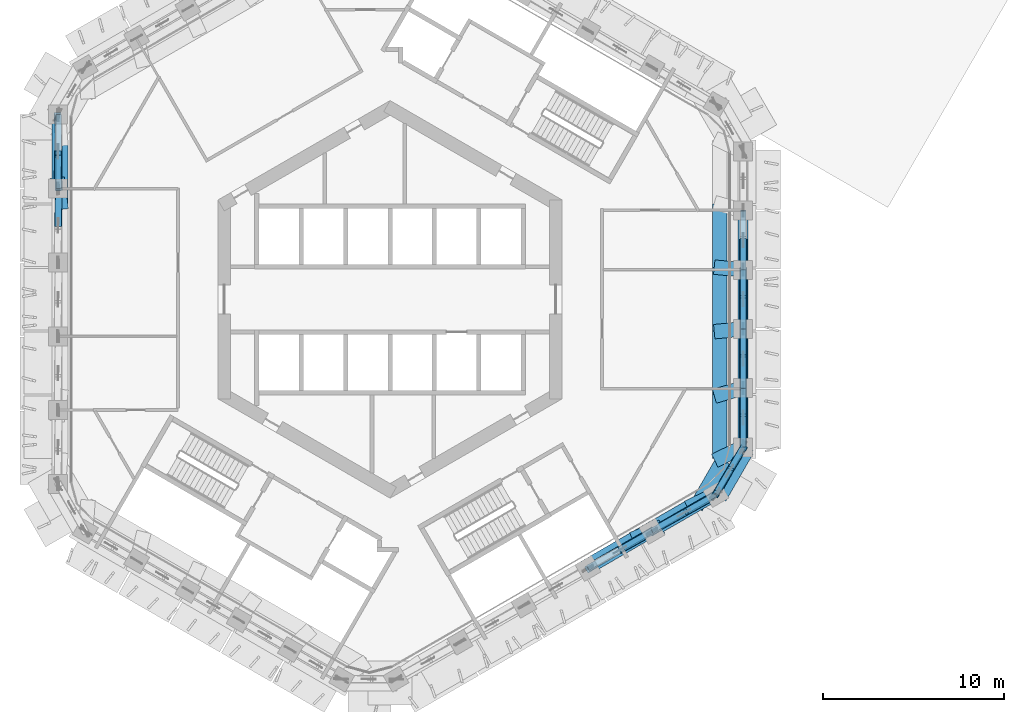
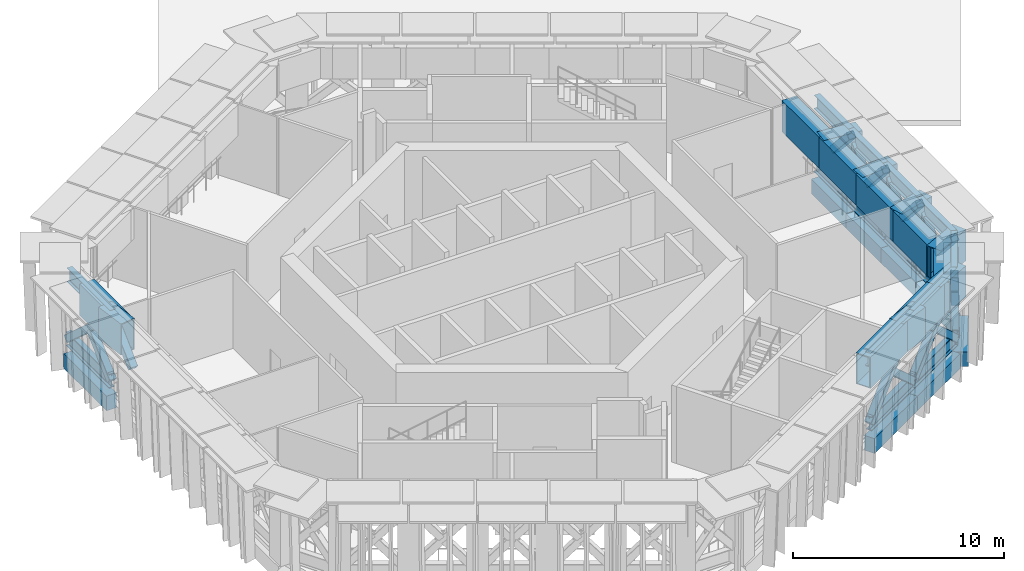
# One storey, part 3 of 18: 37 members, 23 beams.
"""IFC4 building model written with IfcOpenShell, lengths in metres."""

import ifcopenshell
import ifcopenshell.guid

model = None  # the IFC model being written
_history = None  # IfcOwnerHistory: only IFC2X3 demands one
_inside = {}  # id of a spatial element -> (the spatial element, [elements in it])
_under = {}  # id of a project, library or spatial element -> (it, [spatial elements below it])
_declared = {}  # id of a project -> (the project, [libraries it declares])
_typed = {}  # id of a type object -> (the type object, [elements of that type])
_made_of = {}  # id of a material, layer set ... -> (it, [elements and type objects made of it])


def new_model(schema):
    """Start an empty IFC model of exactly this schema.

    Asked for "IFC4X3", IfcOpenShell would pick the latest addendum, in which some entities
    have other attributes; the version numbers below select the first issue.
    IFC2X3 requires an IfcOwnerHistory on every rooted entity: one is made here for all.
    """
    global model, _history
    if schema == "IFC4X3":
        model = ifcopenshell.file(schema_version=(4, 3, 0, 0))
    else:
        model = ifcopenshell.file(schema=schema)
    _inside.clear()
    _under.clear()
    _declared.clear()
    _typed.clear()
    _made_of.clear()
    _history = None
    if model.schema == "IFC2X3":
        org = make("IfcOrganization", Name="unknown")
        user = make(
            "IfcPersonAndOrganization",
            ThePerson=make("IfcPerson", FamilyName="unknown"),
            TheOrganization=org,
        )
        app = make(
            "IfcApplication",
            ApplicationDeveloper=org,
            Version="unknown",
            ApplicationFullName="unknown",
            ApplicationIdentifier="unknown",
        )
        _history = make(
            "IfcOwnerHistory",
            OwningUser=user,
            OwningApplication=app,
            ChangeAction="ADDED",
            CreationDate=0,
        )
    return model


def make(cls, **values):
    """One entity of the class cls with the attributes given. An attribute that is None is left unset."""
    return model.create_entity(
        cls, **{name: value for name, value in values.items() if value is not None}
    )


def rooted(cls, **values):
    """An entity with a GlobalId (a new one), such as an element, a storey or a relation."""
    return make(cls, GlobalId=ifcopenshell.guid.new(), OwnerHistory=_history, **values)


def si_unit(unit_type, name, prefix=None):
    """IfcSIUnit, for example si_unit("LENGTHUNIT", "METRE", prefix="MILLI")."""
    return make("IfcSIUnit", UnitType=unit_type, Prefix=prefix, Name=name)


def assignment(units):
    """IfcUnitAssignment: the units of a project."""
    return None if units is None else make("IfcUnitAssignment", Units=units)


def point(xyz):
    """IfcCartesianPoint."""
    return None if xyz is None else make("IfcCartesianPoint", Coordinates=xyz)


def direction(xyz):
    """IfcDirection."""
    return None if xyz is None else make("IfcDirection", DirectionRatios=xyz)


def frame(location, z_axis=None, x_axis=None):
    """IfcAxis2Placement3D, a coordinate frame: its origin and axes. An axis left out is left unset."""
    return make(
        "IfcAxis2Placement3D",
        Location=point(location),
        Axis=direction(z_axis),
        RefDirection=direction(x_axis),
    )


def frame_2d(location, x_axis=None):
    """IfcAxis2Placement2D, a coordinate frame in the plane: its origin and x axis."""
    return make(
        "IfcAxis2Placement2D", Location=point(location), RefDirection=direction(x_axis)
    )


def origin():
    """The frame at (0, 0, 0) with its axes left unset."""
    return frame((0.0, 0.0, 0.0))


def origin_2d():
    """The frame at (0, 0) in the plane with its x axis left unset."""
    return frame_2d((0.0, 0.0))


def place(relative_to, where):
    """IfcLocalPlacement: puts the frame where relative to a parent placement (None: the world)."""
    return make(
        "IfcLocalPlacement", PlacementRelTo=relative_to, RelativePlacement=where
    )


def context(
    kind, dimensions, precision=None, world=None, true_north=None, identifier=None
):
    """IfcGeometricRepresentationContext, for example the 3D "Model" context."""
    return make(
        "IfcGeometricRepresentationContext",
        ContextIdentifier=identifier,
        ContextType=kind,
        CoordinateSpaceDimension=dimensions,
        Precision=precision,
        WorldCoordinateSystem=world,
        TrueNorth=true_north,
    )


def subcontext(parent, identifier, kind, view, scale=None):
    """IfcGeometricRepresentationSubContext, for example "Body" below "Model"."""
    return make(
        "IfcGeometricRepresentationSubContext",
        ContextIdentifier=identifier,
        ContextType=kind,
        ParentContext=parent,
        TargetScale=scale,
        TargetView=view,
    )


def project(units=None, contexts=None):
    """IfcProject with its units and contexts."""
    return rooted(
        "IfcProject",
        Name="project",
        RepresentationContexts=contexts,
        UnitsInContext=assignment(units),
    )


def spatial(cls, under=None, at=None, **own):
    """A site, building, storey or space (cls), placed at a placement, below another one or the project."""
    s = rooted(cls, ObjectPlacement=at, **own)
    if under is not None:
        _under.setdefault(under.id(), (under, []))[1].append(s)
    return s


def profile(cls, at=None, kind="AREA", **sizes):
    """A parametric profile (cls). Its sizes go by their IFC names, for example OverallWidth=200.0."""
    return make(cls, ProfileType=kind, Position=at, **sizes)


def rectangle(**sizes):
    """IfcRectangleProfileDef."""
    return profile("IfcRectangleProfileDef", **sizes)


def hollow_rectangle(**sizes):
    """IfcRectangleHollowProfileDef."""
    return profile("IfcRectangleHollowProfileDef", **sizes)


def i_section(**sizes):
    """IfcIShapeProfileDef."""
    return profile("IfcIShapeProfileDef", **sizes)


def extrude(swept, where, along, depth):
    """IfcExtrudedAreaSolid: the profile swept, set in the frame where, extruded along a direction by depth."""
    return make(
        "IfcExtrudedAreaSolid",
        SweptArea=swept,
        Position=where,
        ExtrudedDirection=direction(along),
        Depth=depth,
    )


def shape(context_of_items, identifier, shape_type, items):
    """IfcShapeRepresentation: the items that make up one representation, for example the "Body"."""
    return make(
        "IfcShapeRepresentation",
        ContextOfItems=context_of_items,
        RepresentationIdentifier=identifier,
        RepresentationType=shape_type,
        Items=items,
    )


def material(Name=None, Category=None):
    """IfcMaterial."""
    return make("IfcMaterial", Name=Name, Category=Category)


def material_profile(
    of_material, cross_section, Name=None, Category=None, Priority=None
):
    """IfcMaterialProfile: a cross section and its material."""
    return make(
        "IfcMaterialProfile",
        Name=Name,
        Material=of_material,
        Profile=cross_section,
        Priority=Priority,
        Category=Category,
    )


def profile_set(profiles, Name=None, composite=None):
    """IfcMaterialProfileSet."""
    return make(
        "IfcMaterialProfileSet",
        Name=Name,
        MaterialProfiles=profiles,
        CompositeProfile=composite,
    )


def made_of(thing, what):
    """Note that an element or type object is made of a material, layer set ...; save() writes the relation."""
    if what is not None:
        _made_of.setdefault(what.id(), (what, []))[1].append(thing)
    return thing


def type_object(cls, material=None, **own):
    """A type object (cls), such as IfcWallType, which elements share."""
    return made_of(rooted(cls, **own), material)


def element(
    cls,
    number,
    at=None,
    inside=None,
    cuts=None,
    type_object=None,
    material=None,
    context=None,
    identifier="Body",
    shape_type=None,
    held_by="IfcProductDefinitionShape",
    body=None,
    shapes=None,
    **own,
):
    """One element of the class cls, such as IfcWall. Its Tag is "e" and its number.

    at: its placement. inside: the storey or other place that contains it. cuts: it is an
    opening in that element (IfcRelVoidsElement). A single representation is given by context,
    identifier, shape_type and body (its items); several are given by shapes. held_by: the class
    of the entity that holds the representations. save() writes the other relations.
    """
    e = rooted(cls, Tag="e%d" % number, ObjectPlacement=at, **own)
    if body is not None:
        shapes = [shape(context, identifier, shape_type, body)]
    if shapes is not None:
        e.Representation = make(held_by, Representations=shapes)
    if inside is not None:
        _inside.setdefault(inside.id(), (inside, []))[1].append(e)
    if cuts is not None:
        rooted(
            "IfcRelVoidsElement", RelatingBuildingElement=cuts, RelatedOpeningElement=e
        )
    if type_object is not None:
        _typed.setdefault(type_object.id(), (type_object, []))[1].append(e)
    return made_of(e, material)


def aggregate(whole, parts):
    """IfcRelAggregates: a whole, such as a stair, and the parts it consists of."""
    return rooted("IfcRelAggregates", RelatingObject=whole, RelatedObjects=parts)


def save(model, path):
    """Write the relations noted so far, then the file.

    IfcRelAggregates (storeys below a building ...), IfcRelContainedInSpatialStructure (elements
    in a storey), IfcRelDefinesByType, IfcRelAssociatesMaterial and IfcRelDeclares: one each for
    every whole, place, type object, material and project.
    """
    for whole, parts in _under.values():
        aggregate(whole, parts)
    for where, things in _inside.values():
        rooted(
            "IfcRelContainedInSpatialStructure",
            RelatedElements=things,
            RelatingStructure=where,
        )
    for kind, things in _typed.values():
        rooted("IfcRelDefinesByType", RelatedObjects=things, RelatingType=kind)
    for what, things in _made_of.values():
        rooted("IfcRelAssociatesMaterial", RelatedObjects=things, RelatingMaterial=what)
    for by, libraries in _declared.values():
        rooted("IfcRelDeclares", RelatingContext=by, RelatedDefinitions=libraries)
    model.write(path)


model = new_model("IFC4")

# Units and contexts
model_context = context("Model", 3, precision=1e-05, world=origin(), true_north=direction((0.0, 1.0)))
body_context = subcontext(model_context, "Body", "Model", "MODEL_VIEW")
ifc_project = project(units=[si_unit("LENGTHUNIT", "METRE"), si_unit("AREAUNIT", "SQUARE_METRE"), si_unit("VOLUMEUNIT", "CUBIC_METRE"), si_unit("PLANEANGLEUNIT", "RADIAN"), si_unit("MASSUNIT", "GRAM", prefix="KILO")], contexts=[model_context])

# Site, building, storey
site_placement = place(None, origin())
site = spatial("IfcSite", under=ifc_project, at=site_placement, CompositionType="ELEMENT")
building_placement = place(site_placement, origin())
building = spatial("IfcBuilding", under=site, at=building_placement, Name="Ayvan Gate Tower", CompositionType="ELEMENT")
storey_placement = place(building_placement, frame((0.0, 0.0, 147.89990234375)))
storey = spatial("IfcBuildingStorey", under=building, at=storey_placement, Name="L39", CompositionType="ELEMENT", Elevation=147.89990234375)

# Members
ifc_material_1 = material(Name="Steel S460NH", Category="steel")
ifc_material_profile_1 = material_profile(ifc_material_1, hollow_rectangle(XDim=0.39990234375, YDim=0.39990234375, WallThickness=0.02001953125, InnerFilletRadius=0.02001953125, OuterFilletRadius=0.030029296875, at=origin_2d()), Name="RHS 400x400x20")
ifc_profile_set_1 = profile_set([ifc_material_profile_1], Name="Steel S460NH")
member_type_1 = type_object("IfcMemberType", Name="Belt truss brace BT2 RHS 400x400x20", PredefinedType="BRACE", material=ifc_profile_set_1)
member_1_placement = place(storey_placement, frame((19.485595703125, -8.203857421875, 0.400146484375), z_axis=(0.0, 0.67351401029, 0.739174457042), x_axis=(-1.0, 0.0, 0.0)))
element("IfcMember", 1, at=member_1_placement, inside=storey, type_object=member_type_1, Name="BT2-DA-1", PredefinedType="BRACE", context=body_context, shape_type="SweptSolid", body=[
    extrude(hollow_rectangle(XDim=0.39990234375, YDim=0.39990234375, WallThickness=0.02001953125, InnerFilletRadius=0.02001953125, OuterFilletRadius=0.030029296875, at=origin_2d()), origin(), (0.0, 0.0, 1.0), 4.937744140625),
])
member_2_placement = place(storey_placement, frame((19.485595703125, -4.92236328125, 0.400146484375), z_axis=(0.0, -0.6601360221, 0.751146079219), x_axis=(1.0, 0.0, 0.0)))
element("IfcMember", 2, at=member_2_placement, inside=storey, type_object=member_type_1, Name="BT2-DB-1", PredefinedType="BRACE", context=body_context, shape_type="SweptSolid", body=[
    extrude(hollow_rectangle(XDim=0.39990234375, YDim=0.39990234375, WallThickness=0.02001953125, InnerFilletRadius=0.02001953125, OuterFilletRadius=0.030029296875, at=origin_2d()), origin(), (0.0, 0.0, 1.0), 2.339111328125),
])
member_3_placement = place(storey_placement, frame((19.485595703125, -6.600341796875, 2.309326171875), z_axis=(0.0, -0.660188454235, 0.751099996601), x_axis=(1.0, 0.0, 0.0)))
element("IfcMember", 3, at=member_3_placement, inside=storey, type_object=member_type_1, Name="BT2-DC-1", PredefinedType="BRACE", context=body_context, shape_type="SweptSolid", body=[
    extrude(hollow_rectangle(XDim=0.39990234375, YDim=0.39990234375, WallThickness=0.02001953125, InnerFilletRadius=0.02001953125, OuterFilletRadius=0.030029296875, at=origin_2d()), origin(), (0.0, 0.0, 1.0), 2.317626953125),
])
member_4_placement = place(storey_placement, frame((19.485595703125, -4.92236328125, 0.400146484375), z_axis=(0.0, 0.670252746056, 0.742132910201), x_axis=(-1.0, 0.0, 0.0)))
element("IfcMember", 4, at=member_4_placement, inside=storey, type_object=member_type_1, Name="BT2-DA-2", PredefinedType="BRACE", context=body_context, shape_type="SweptSolid", body=[
    extrude(hollow_rectangle(XDim=0.39990234375, YDim=0.39990234375, WallThickness=0.02001953125, InnerFilletRadius=0.02001953125, OuterFilletRadius=0.030029296875, at=origin_2d()), origin(), (0.0, 0.0, 1.0), 4.918212890625),
])
member_5_placement = place(storey_placement, frame((19.485595703125, -1.640869140625, 0.400146484375), z_axis=(0.0, -0.663537666999, 0.748142877045), x_axis=(1.0, 0.0, 0.0)))
element("IfcMember", 5, at=member_5_placement, inside=storey, type_object=member_type_1, Name="BT2-DB-2", PredefinedType="BRACE", context=body_context, shape_type="SweptSolid", body=[
    extrude(hollow_rectangle(XDim=0.39990234375, YDim=0.39990234375, WallThickness=0.02001953125, InnerFilletRadius=0.02001953125, OuterFilletRadius=0.030029296875, at=origin_2d()), origin(), (0.0, 0.0, 1.0), 2.348876953125),
])
member_6_placement = place(storey_placement, frame((19.485595703125, -3.333984375, 2.30908203125), z_axis=(0.0, -0.663562515607, 0.748120837754), x_axis=(1.0, 0.0, 0.0)))
element("IfcMember", 6, at=member_6_placement, inside=storey, type_object=member_type_1, Name="BT2-DC-2", PredefinedType="BRACE", context=body_context, shape_type="SweptSolid", body=[
    extrude(hollow_rectangle(XDim=0.39990234375, YDim=0.39990234375, WallThickness=0.02001953125, InnerFilletRadius=0.02001953125, OuterFilletRadius=0.030029296875, at=origin_2d()), origin(), (0.0, 0.0, 1.0), 2.3271484375),
])
member_7_placement = place(storey_placement, frame((19.485595703125, -1.640869140625, 0.400146484375), z_axis=(0.0, 0.666924513062, 0.745125287369), x_axis=(-1.0, 0.0, 0.0)))
element("IfcMember", 7, at=member_7_placement, inside=storey, type_object=member_type_1, Name="BT2-DA-3", PredefinedType="BRACE", context=body_context, shape_type="SweptSolid", body=[
    extrude(hollow_rectangle(XDim=0.39990234375, YDim=0.39990234375, WallThickness=0.02001953125, InnerFilletRadius=0.02001953125, OuterFilletRadius=0.030029296875, at=origin_2d()), origin(), (0.0, 0.0, 1.0), 4.8984375),
])
member_8_placement = place(storey_placement, frame((19.485595703125, 1.640869140625, 0.400146484375), z_axis=(0.0, -0.666903757992, 0.745143863678), x_axis=(1.0, 0.0, 0.0)))
element("IfcMember", 8, at=member_8_placement, inside=storey, type_object=member_type_1, Name="BT2-DB-3", PredefinedType="BRACE", context=body_context, shape_type="SweptSolid", body=[
    extrude(hollow_rectangle(XDim=0.39990234375, YDim=0.39990234375, WallThickness=0.02001953125, InnerFilletRadius=0.02001953125, OuterFilletRadius=0.030029296875, at=origin_2d()), origin(), (0.0, 0.0, 1.0), 2.359130859375),
])
member_9_placement = place(storey_placement, frame((19.485595703125, -0.067626953125, 2.308837890625), z_axis=(0.0, -0.666895636357, 0.745151132461), x_axis=(1.0, 0.0, 0.0)))
element("IfcMember", 9, at=member_9_placement, inside=storey, type_object=member_type_1, Name="BT2-DC-3", PredefinedType="BRACE", context=body_context, shape_type="SweptSolid", body=[
    extrude(hollow_rectangle(XDim=0.39990234375, YDim=0.39990234375, WallThickness=0.02001953125, InnerFilletRadius=0.02001953125, OuterFilletRadius=0.030029296875, at=origin_2d()), origin(), (0.0, 0.0, 1.0), 2.336669921875),
])
member_10_placement = place(storey_placement, frame((19.485595703125, 3.198974609375, 2.308349609375), z_axis=(0.0, -0.670251144109, 0.742134356987), x_axis=(1.0, 0.0, 0.0)))
element("IfcMember", 10, at=member_10_placement, inside=storey, type_object=member_type_1, Name="BT2-DC-4", PredefinedType="BRACE", context=body_context, shape_type="SweptSolid", body=[
    extrude(hollow_rectangle(XDim=0.39990234375, YDim=0.39990234375, WallThickness=0.02001953125, InnerFilletRadius=0.02001953125, OuterFilletRadius=0.030029296875, at=origin_2d()), origin(), (0.0, 0.0, 1.0), 2.346923828125),
])
member_11_placement = place(storey_placement, frame((-18.347412109375, 10.175048828125, 0.400146484375), z_axis=(0.011690209445, -0.742619435265, 0.669611613825), x_axis=(0.999876119982, 0.015739907558, 0.0)))
element("IfcMember", 11, at=member_11_placement, inside=storey, type_object=member_type_1, Name="BT2-DA-19", PredefinedType="BRACE", context=body_context, shape_type="SweptSolid", body=[
    extrude(hollow_rectangle(XDim=0.39990234375, YDim=0.39990234375, WallThickness=0.02001953125, InnerFilletRadius=0.02001953125, OuterFilletRadius=0.030029296875, at=origin_2d()), origin(), (0.0, 0.0, 1.0), 5.45068359375),
])
member_12_placement = place(storey_placement, frame((-18.347412109375, 6.10498046875, 0.400146484375), z_axis=(0.011554396794, 0.747430819807, 0.66423916289), x_axis=(-0.999880533889, 0.015456970905, 0.0)))
element("IfcMember", 12, at=member_12_placement, inside=storey, type_object=member_type_1, Name="BT2-DB-19", PredefinedType="BRACE", context=body_context, shape_type="SweptSolid", body=[
    extrude(hollow_rectangle(XDim=0.39990234375, YDim=0.39990234375, WallThickness=0.02001953125, InnerFilletRadius=0.02001953125, OuterFilletRadius=0.030029296875, at=origin_2d()), origin(), (0.0, 0.0, 1.0), 2.64111328125),
])
member_13_placement = place(storey_placement, frame((-18.314453125, 4.15283203125, 2.2890625), z_axis=(0.011626722867, 0.746232601767, 0.665583746327), x_axis=(-0.999878645147, 0.015578670618, 0.0)))
element("IfcMember", 13, at=member_13_placement, inside=storey, type_object=member_type_1, Name="BT2-DC-20", PredefinedType="BRACE", context=body_context, shape_type="SweptSolid", body=[
    extrude(hollow_rectangle(XDim=0.39990234375, YDim=0.39990234375, WallThickness=0.02001953125, InnerFilletRadius=0.02001953125, OuterFilletRadius=0.030029296875, at=origin_2d()), origin(), (0.0, 0.0, 1.0), 2.645751953125),
])
member_14_placement = place(storey_placement, frame((10.93603515625, -14.871826171875, 0.400146484375), z_axis=(0.640445060216, 0.383153992925, 0.665599836652), x_axis=(-0.513398718799, 0.858150194042, 0.0)))
element("IfcMember", 14, at=member_14_placement, inside=storey, type_object=member_type_1, Name="BT2-DA-34", PredefinedType="BRACE", context=body_context, shape_type="SweptSolid", body=[
    extrude(hollow_rectangle(XDim=0.39990234375, YDim=0.39990234375, WallThickness=0.02001953125, InnerFilletRadius=0.02001953125, OuterFilletRadius=0.030029296875, at=origin_2d()), origin(), (0.0, 0.0, 1.0), 5.483642578125),
])
member_15_placement = place(storey_placement, frame((14.4609375, -12.8369140625, 0.400146484375), z_axis=(-0.650067600393, -0.361820427175, 0.668205128234), x_axis=(0.486332755799, -0.873773683877, 0.0)))
element("IfcMember", 15, at=member_15_placement, inside=storey, type_object=member_type_1, Name="BT2-DB-34", PredefinedType="BRACE", context=body_context, shape_type="SweptSolid", body=[
    extrude(hollow_rectangle(XDim=0.39990234375, YDim=0.39990234375, WallThickness=0.02001953125, InnerFilletRadius=0.02001953125, OuterFilletRadius=0.030029296875, at=origin_2d()), origin(), (0.0, 0.0, 1.0), 2.624755859375),
])
member_16_placement = place(storey_placement, frame((14.4609375, -12.8369140625, 0.400146484375), z_axis=(0.641468824501, 0.383761601248, 0.664262584075), x_axis=(-0.513393919952, 0.858153064993, 0.0)))
element("IfcMember", 16, at=member_16_placement, inside=storey, type_object=member_type_1, Name="BT2-DA-35", PredefinedType="BRACE", context=body_context, shape_type="SweptSolid", body=[
    extrude(hollow_rectangle(XDim=0.39990234375, YDim=0.39990234375, WallThickness=0.02001953125, InnerFilletRadius=0.02001953125, OuterFilletRadius=0.030029296875, at=origin_2d()), origin(), (0.0, 0.0, 1.0), 5.49462890625),
])
member_17_placement = place(storey_placement, frame((17.985595703125, -10.802001953125, 0.400146484375), z_axis=(-0.648996026199, -0.361174723757, 0.669594636251), x_axis=(0.486282100964, -0.873801875875, 0.0)))
element("IfcMember", 17, at=member_17_placement, inside=storey, type_object=member_type_1, Name="BT2-DB-35", PredefinedType="BRACE", context=body_context, shape_type="SweptSolid", body=[
    extrude(hollow_rectangle(XDim=0.39990234375, YDim=0.39990234375, WallThickness=0.02001953125, InnerFilletRadius=0.02001953125, OuterFilletRadius=0.030029296875, at=origin_2d()), origin(), (0.0, 0.0, 1.0), 2.619384765625),
])
member_18_placement = place(storey_placement, frame((16.154296875, -11.821044921875, 2.28955078125), z_axis=(-0.648977422508, -0.361213646238, 0.669591671728), x_axis=(0.486332755799, -0.873773683877, 0.0)))
element("IfcMember", 18, at=member_18_placement, inside=storey, type_object=member_type_1, Name="BT2-DC-35", PredefinedType="BRACE", context=body_context, shape_type="SweptSolid", body=[
    extrude(hollow_rectangle(XDim=0.39990234375, YDim=0.39990234375, WallThickness=0.02001953125, InnerFilletRadius=0.02001953125, OuterFilletRadius=0.030029296875, at=origin_2d()), origin(), (0.0, 0.0, 1.0), 2.629150390625),
])
member_19_placement = place(storey_placement, frame((17.985595703125, -10.802001953125, 0.400146484375), z_axis=(0.314766454886, 0.560626516246, 0.765911214281), x_axis=(-0.871964689287, 0.489568770079, 0.0)))
element("IfcMember", 19, at=member_19_placement, inside=storey, type_object=member_type_1, Name="BT2-DA-36", PredefinedType="BRACE", context=body_context, shape_type="SweptSolid", body=[
    extrude(hollow_rectangle(XDim=0.39990234375, YDim=0.39990234375, WallThickness=0.02001953125, InnerFilletRadius=0.02001953125, OuterFilletRadius=0.030029296875, at=origin_2d()), origin(), (0.0, 0.0, 1.0), 4.765380859375),
])
for number, where, z_axis, x_axis, name in (
    (20, (19.485595703125, -8.203857421875, 0.400146484375), (-0.320209873538, -0.538881806931, 0.779148275393), (0.859680453353, -0.510832181956, 0.0), "BT2-DB-36"),
    (21, (18.702392578125, -9.52197265625, 2.305908203125), (-0.320209873538, -0.538881806931, 0.779148275393), (0.859680453353, -0.510832181956, 0.0), "BT2-DC-36"),
):
    element("IfcMember", number, at=place(storey_placement, frame(where, z_axis=z_axis, x_axis=x_axis)), inside=storey, type_object=member_type_1, Name=name, PredefinedType="BRACE", context=body_context, shape_type="SweptSolid", body=[
        extrude(hollow_rectangle(XDim=0.39990234375, YDim=0.39990234375, WallThickness=0.02001953125, InnerFilletRadius=0.02001953125, OuterFilletRadius=0.030029296875, at=origin_2d()), origin(), (0.0, 0.0, 1.0), 2.238525390625),
    ])
ifc_material_2 = material(Name="Steel S460ML", Category="steel")
ifc_material_profile_2 = material_profile(ifc_material_2, i_section(OverallWidth=0.300048828125, OverallDepth=0.800048828125, WebThickness=0.017578125, FlangeThickness=0.032958984375, FilletRadius=0.030029296875, at=origin_2d()), Name="HE 800 B")
ifc_profile_set_2 = profile_set([ifc_material_profile_2], Name="Steel S460ML")
member_type_2 = type_object("IfcMemberType", Name="Belt truss chord BT2 HE 800 B", PredefinedType="CHORD", material=ifc_profile_set_2)
member_20_placement = place(storey_placement, frame((19.485595703125, -8.203857421875, 0.400146484375), z_axis=(0.0, 1.0, 0.0), x_axis=(-1.0, 0.0, 0.0)))
element("IfcMember", 22, at=member_20_placement, inside=storey, type_object=member_type_2, Name="BT2-BC-1", PredefinedType="CHORD", context=body_context, shape_type="SweptSolid", body=[
    extrude(i_section(OverallWidth=0.300048828125, OverallDepth=0.800048828125, WebThickness=0.017578125, FlangeThickness=0.032958984375, FilletRadius=0.030029296875, at=origin_2d()), origin(), (0.0, 0.0, 1.0), 3.281494140625),
])
member_21_placement = place(storey_placement, frame((19.485595703125, -8.13037109375, 4.050048828125), z_axis=(0.0, 1.0, 0.0), x_axis=(-1.0, 0.0, 0.0)))
element("IfcMember", 23, at=member_21_placement, inside=storey, type_object=member_type_2, Name="BT2-TC-1", PredefinedType="CHORD", context=body_context, shape_type="SweptSolid", body=[
    extrude(i_section(OverallWidth=0.300048828125, OverallDepth=0.800048828125, WebThickness=0.017578125, FlangeThickness=0.032958984375, FilletRadius=0.030029296875, at=origin_2d()), origin(), (0.0, 0.0, 1.0), 3.252197265625),
])
member_22_placement = place(storey_placement, frame((19.485595703125, -4.92236328125, 0.400146484375), z_axis=(0.0, 1.0, 0.0), x_axis=(-1.0, 0.0, 0.0)))
element("IfcMember", 24, at=member_22_placement, inside=storey, type_object=member_type_2, Name="BT2-BC-2", PredefinedType="CHORD", context=body_context, shape_type="SweptSolid", body=[
    extrude(i_section(OverallWidth=0.300048828125, OverallDepth=0.800048828125, WebThickness=0.017578125, FlangeThickness=0.032958984375, FilletRadius=0.030029296875, at=origin_2d()), origin(), (0.0, 0.0, 1.0), 3.281494140625),
])
member_23_placement = place(storey_placement, frame((19.485595703125, -4.878173828125, 4.050048828125), z_axis=(0.0, 1.0, 0.0), x_axis=(-1.0, 0.0, 0.0)))
element("IfcMember", 25, at=member_23_placement, inside=storey, type_object=member_type_2, Name="BT2-TC-2", PredefinedType="CHORD", context=body_context, shape_type="SweptSolid", body=[
    extrude(i_section(OverallWidth=0.300048828125, OverallDepth=0.800048828125, WebThickness=0.017578125, FlangeThickness=0.032958984375, FilletRadius=0.030029296875, at=origin_2d()), origin(), (0.0, 0.0, 1.0), 3.252197265625),
])
member_24_placement = place(storey_placement, frame((19.485595703125, -1.640869140625, 0.400146484375), z_axis=(0.0, 1.0, 0.0), x_axis=(-1.0, 0.0, 0.0)))
element("IfcMember", 26, at=member_24_placement, inside=storey, type_object=member_type_2, Name="BT2-BC-3", PredefinedType="CHORD", context=body_context, shape_type="SweptSolid", body=[
    extrude(i_section(OverallWidth=0.300048828125, OverallDepth=0.800048828125, WebThickness=0.017578125, FlangeThickness=0.032958984375, FilletRadius=0.030029296875, at=origin_2d()), origin(), (0.0, 0.0, 1.0), 3.28173828125),
])
member_25_placement = place(storey_placement, frame((19.485595703125, -1.6259765625, 4.050048828125), z_axis=(0.0, 1.0, 0.0), x_axis=(-1.0, 0.0, 0.0)))
element("IfcMember", 27, at=member_25_placement, inside=storey, type_object=member_type_2, Name="BT2-TC-3", PredefinedType="CHORD", context=body_context, shape_type="SweptSolid", body=[
    extrude(i_section(OverallWidth=0.300048828125, OverallDepth=0.800048828125, WebThickness=0.017578125, FlangeThickness=0.032958984375, FilletRadius=0.030029296875, at=origin_2d()), origin(), (0.0, 0.0, 1.0), 3.251953125),
])
member_26_placement = place(storey_placement, frame((19.485595703125, 1.640869140625, 0.400146484375), z_axis=(0.0, 1.0, 0.0), x_axis=(-1.0, 0.0, 0.0)))
element("IfcMember", 28, at=member_26_placement, inside=storey, type_object=member_type_2, Name="BT2-BC-4", PredefinedType="CHORD", context=body_context, shape_type="SweptSolid", body=[
    extrude(i_section(OverallWidth=0.300048828125, OverallDepth=0.800048828125, WebThickness=0.017578125, FlangeThickness=0.032958984375, FilletRadius=0.030029296875, at=origin_2d()), origin(), (0.0, 0.0, 1.0), 3.281494140625),
])
member_27_placement = place(storey_placement, frame((19.485595703125, 1.6259765625, 4.050048828125), z_axis=(0.0, 1.0, 0.0), x_axis=(-1.0, 0.0, 0.0)))
element("IfcMember", 29, at=member_27_placement, inside=storey, type_object=member_type_2, Name="BT2-TC-4", PredefinedType="CHORD", context=body_context, shape_type="SweptSolid", body=[
    extrude(i_section(OverallWidth=0.300048828125, OverallDepth=0.800048828125, WebThickness=0.017578125, FlangeThickness=0.032958984375, FilletRadius=0.030029296875, at=origin_2d()), origin(), (0.0, 0.0, 1.0), 3.252197265625),
])
member_28_placement = place(storey_placement, frame((-18.347412109375, 10.175048828125, 0.400146484375), z_axis=(0.0, -1.0, 0.0), x_axis=(1.0, 0.0, 0.0)))
element("IfcMember", 30, at=member_28_placement, inside=storey, type_object=member_type_2, Name="BT2-BC-19", PredefinedType="CHORD", context=body_context, shape_type="SweptSolid", body=[
    extrude(i_section(OverallWidth=0.300048828125, OverallDepth=0.800048828125, WebThickness=0.017578125, FlangeThickness=0.032958984375, FilletRadius=0.030029296875, at=origin_2d()), origin(), (0.0, 0.0, 1.0), 4.070068359375),
])
member_29_placement = place(storey_placement, frame((-18.28369140625, 10.2119140625, 4.050048828125), z_axis=(0.0, -1.0, 0.0), x_axis=(1.0, 0.0, 0.0)))
element("IfcMember", 31, at=member_29_placement, inside=storey, type_object=member_type_2, Name="BT2-TC-19", PredefinedType="CHORD", context=body_context, shape_type="SweptSolid", body=[
    extrude(i_section(OverallWidth=0.300048828125, OverallDepth=0.800048828125, WebThickness=0.017578125, FlangeThickness=0.032958984375, FilletRadius=0.030029296875, at=origin_2d()), origin(), (0.0, 0.0, 1.0), 4.084716796875),
])
member_30_placement = place(storey_placement, frame((10.93603515625, -14.871826171875, 0.400146484375), z_axis=(0.866045745349, 0.499964765721, 0.0), x_axis=(-0.499964765721, 0.866045745349, 0.0)))
element("IfcMember", 32, at=member_30_placement, inside=storey, type_object=member_type_2, Name="BT2-BC-34", PredefinedType="CHORD", context=body_context, shape_type="SweptSolid", body=[
    extrude(i_section(OverallWidth=0.300048828125, OverallDepth=0.800048828125, WebThickness=0.017578125, FlangeThickness=0.032958984375, FilletRadius=0.030029296875, at=origin_2d()), origin(), (0.0, 0.0, 1.0), 4.070068359375),
])
member_31_placement = place(storey_placement, frame((10.91064453125, -14.81298828125, 4.050048828125), z_axis=(0.866031306094, 0.49998977676, 0.0), x_axis=(-0.49998977676, 0.866031306094, 0.0)))
element("IfcMember", 33, at=member_31_placement, inside=storey, type_object=member_type_2, Name="BT2-TC-34", PredefinedType="CHORD", context=body_context, shape_type="SweptSolid", body=[
    extrude(i_section(OverallWidth=0.300048828125, OverallDepth=0.800048828125, WebThickness=0.017578125, FlangeThickness=0.032958984375, FilletRadius=0.030029296875, at=origin_2d()), origin(), (0.0, 0.0, 1.0), 4.08447265625),
])
member_32_placement = place(storey_placement, frame((14.4609375, -12.8369140625, 0.400146484375), z_axis=(0.86603075035, 0.499990739362, 0.0), x_axis=(-0.499990739362, 0.86603075035, 0.0)))
element("IfcMember", 34, at=member_32_placement, inside=storey, type_object=member_type_2, Name="BT2-BC-35", PredefinedType="CHORD", context=body_context, shape_type="SweptSolid", body=[
    extrude(i_section(OverallWidth=0.300048828125, OverallDepth=0.800048828125, WebThickness=0.017578125, FlangeThickness=0.032958984375, FilletRadius=0.030029296875, at=origin_2d()), origin(), (0.0, 0.0, 1.0), 4.06982421875),
])
member_33_placement = place(storey_placement, frame((14.447998046875, -12.770751953125, 4.050048828125), z_axis=(0.866020367552, 0.500008722908, 0.0), x_axis=(-0.500008722908, 0.866020367552, 0.0)))
element("IfcMember", 35, at=member_33_placement, inside=storey, type_object=member_type_2, Name="BT2-TC-35", PredefinedType="CHORD", context=body_context, shape_type="SweptSolid", body=[
    extrude(i_section(OverallWidth=0.300048828125, OverallDepth=0.800048828125, WebThickness=0.017578125, FlangeThickness=0.032958984375, FilletRadius=0.030029296875, at=origin_2d()), origin(), (0.0, 0.0, 1.0), 4.0849609375),
])
member_34_placement = place(storey_placement, frame((17.985595703125, -10.802001953125, 0.400146484375), z_axis=(0.499990139034, 0.866031096941, 0.0), x_axis=(-0.866031096941, 0.499990139034, 0.0)))
element("IfcMember", 36, at=member_34_placement, inside=storey, type_object=member_type_2, Name="BT2-BC-36", PredefinedType="CHORD", context=body_context, shape_type="SweptSolid", body=[
    extrude(i_section(OverallWidth=0.300048828125, OverallDepth=0.800048828125, WebThickness=0.017578125, FlangeThickness=0.032958984375, FilletRadius=0.030029296875, at=origin_2d()), origin(), (0.0, 0.0, 1.0), 3.0),
])
member_35_placement = place(storey_placement, frame((17.985595703125, -10.728271484375, 4.050048828125), z_axis=(0.50002537861, 0.866010750942, 0.0), x_axis=(-0.866010750942, 0.50002537861, 0.0)))
element("IfcMember", 37, at=member_35_placement, inside=storey, type_object=member_type_2, Name="BT2-TC-36", PredefinedType="CHORD", context=body_context, shape_type="SweptSolid", body=[
    extrude(i_section(OverallWidth=0.300048828125, OverallDepth=0.800048828125, WebThickness=0.017578125, FlangeThickness=0.032958984375, FilletRadius=0.030029296875, at=origin_2d()), origin(), (0.0, 0.0, 1.0), 2.999755859375),
])

# Beams
ifc_material_3 = material(Name="Concrete C40/50", Category="concrete")
ifc_material_profile_3 = material_profile(ifc_material_3, rectangle(XDim=0.800048828125, YDim=0.85009765625, at=origin_2d()), Name="RC 800x850")
ifc_profile_set_3 = profile_set([ifc_material_profile_3], Name="Concrete C40/50")
beam_type_1 = type_object("IfcBeamType", Name="Corner spandrel beam RC 800x850 C40/50", PredefinedType="BEAM", material=ifc_profile_set_3)
beam_1_placement = place(storey_placement, frame((18.176025390625, -10.9365234375, -0.824951171875), z_axis=(0.50002537861, 0.866010750942, 0.0), x_axis=(-0.866010750942, 0.50002537861, 0.0)))
element("IfcBeam", 38, at=beam_1_placement, inside=storey, type_object=beam_type_1, Name="SB-L39-36", PredefinedType="BEAM", context=body_context, shape_type="SweptSolid", body=[
    extrude(rectangle(XDim=0.800048828125, YDim=0.85009765625, at=origin_2d()), origin(), (0.0, 0.0, 1.0), 2.999755859375),
])
ifc_material_profile_4 = material_profile(ifc_material_3, rectangle(XDim=0.550048828125, YDim=0.85009765625, at=origin_2d()), Name="RC 550x850")
ifc_profile_set_4 = profile_set([ifc_material_profile_4], Name="Concrete C40/50")
beam_type_2 = type_object("IfcBeamType", Name="Spandrel beam RC 550x850 C40/50", PredefinedType="BEAM", material=ifc_profile_set_4)
beam_2_placement = place(storey_placement, frame((19.485595703125, -8.228515625, -0.824951171875), z_axis=(0.0, 1.0, 0.0), x_axis=(-1.0, 0.0, 0.0)))
element("IfcBeam", 39, at=beam_2_placement, inside=storey, type_object=beam_type_2, Name="SB-L39-1", PredefinedType="BEAM", context=body_context, shape_type="SweptSolid", body=[
    extrude(rectangle(XDim=0.550048828125, YDim=0.85009765625, at=origin_2d()), origin(), (0.0, 0.0, 1.0), 3.29150390625),
])
beam_3_placement = place(storey_placement, frame((19.485595703125, -4.93701171875, -0.824951171875), z_axis=(0.0, 1.0, 0.0), x_axis=(-1.0, 0.0, 0.0)))
element("IfcBeam", 40, at=beam_3_placement, inside=storey, type_object=beam_type_2, Name="SB-L39-2", PredefinedType="BEAM", context=body_context, shape_type="SweptSolid", body=[
    extrude(rectangle(XDim=0.550048828125, YDim=0.85009765625, at=origin_2d()), origin(), (0.0, 0.0, 1.0), 3.291259765625),
])
beam_4_placement = place(storey_placement, frame((19.485595703125, -1.645751953125, -0.824951171875), z_axis=(0.0, 1.0, 0.0), x_axis=(-1.0, 0.0, 0.0)))
element("IfcBeam", 41, at=beam_4_placement, inside=storey, type_object=beam_type_2, Name="SB-L39-3", PredefinedType="BEAM", context=body_context, shape_type="SweptSolid", body=[
    extrude(rectangle(XDim=0.550048828125, YDim=0.85009765625, at=origin_2d()), origin(), (0.0, 0.0, 1.0), 3.29150390625),
])
beam_5_placement = place(storey_placement, frame((19.485595703125, 1.645751953125, -0.824951171875), z_axis=(0.0, 1.0, 0.0), x_axis=(-1.0, 0.0, 0.0)))
element("IfcBeam", 42, at=beam_5_placement, inside=storey, type_object=beam_type_2, Name="SB-L39-4", PredefinedType="BEAM", context=body_context, shape_type="SweptSolid", body=[
    extrude(rectangle(XDim=0.550048828125, YDim=0.85009765625, at=origin_2d()), origin(), (0.0, 0.0, 1.0), 3.291259765625),
])
beam_6_placement = place(storey_placement, frame((-18.368896484375, 10.16259765625, -0.824951171875), z_axis=(0.0, -1.0, 0.0), x_axis=(1.0, 0.0, 0.0)))
element("IfcBeam", 43, at=beam_6_placement, inside=storey, type_object=beam_type_2, Name="SB-L39-19", PredefinedType="BEAM", context=body_context, shape_type="SweptSolid", body=[
    extrude(rectangle(XDim=0.550048828125, YDim=0.85009765625, at=origin_2d()), origin(), (0.0, 0.0, 1.0), 4.06494140625),
])
for number, where, z_axis, x_axis, name in (
    (44, (10.944580078125, -14.8916015625, -0.824951171875), (0.866035568818, 0.499982393232, 0.0), (-0.499982393232, 0.866035568818, 0.0), "SB-L39-34"),
    (45, (14.465087890625, -12.859130859375, -0.824951171875), (0.866035568818, 0.499982393232, 0.0), (-0.499982393232, 0.866035568818, 0.0), "SB-L39-35"),
):
    element("IfcBeam", number, at=place(storey_placement, frame(where, z_axis=z_axis, x_axis=x_axis)), inside=storey, type_object=beam_type_2, Name=name, PredefinedType="BEAM", context=body_context, shape_type="SweptSolid", body=[
        extrude(rectangle(XDim=0.550048828125, YDim=0.85009765625, at=origin_2d()), origin(), (0.0, 0.0, 1.0), 4.065185546875),
    ])
ifc_material_profile_5 = material_profile(ifc_material_2, hollow_rectangle(XDim=0.800048828125, YDim=1.800048828125, WallThickness=0.050048828125, at=origin_2d()), Name="BOX 800x1800x50")
ifc_profile_set_5 = profile_set([ifc_material_profile_5], Name="Steel S460ML")
beam_type_3 = type_object("IfcBeamType", Name="Transfer ring girder BOX 800x1800x50", PredefinedType="BEAM", material=ifc_profile_set_5)
beam_7_placement = place(storey_placement, frame((18.1865234375, -8.76806640625, 3.550048828125), z_axis=(0.0, 1.0, 0.0), x_axis=(-1.0, 0.0, 0.0)))
element("IfcBeam", 46, at=beam_7_placement, inside=storey, type_object=beam_type_3, Name="TR-L39-1", PredefinedType="BEAM", context=body_context, shape_type="SweptSolid", body=[
    extrude(hollow_rectangle(XDim=0.800048828125, YDim=1.800048828125, WallThickness=0.050048828125, at=origin_2d()), origin(), (0.0, 0.0, 1.0), 3.50732421875),
])
beam_8_placement = place(storey_placement, frame((18.1865234375, -5.2607421875, 3.550048828125), z_axis=(0.0, 1.0, 0.0), x_axis=(-1.0, 0.0, 0.0)))
element("IfcBeam", 47, at=beam_8_placement, inside=storey, type_object=beam_type_3, Name="TR-L39-2", PredefinedType="BEAM", context=body_context, shape_type="SweptSolid", body=[
    extrude(hollow_rectangle(XDim=0.800048828125, YDim=1.800048828125, WallThickness=0.050048828125, at=origin_2d()), origin(), (0.0, 0.0, 1.0), 3.507080078125),
])
beam_9_placement = place(storey_placement, frame((18.1865234375, -1.753662109375, 3.550048828125), z_axis=(0.0, 1.0, 0.0), x_axis=(-1.0, 0.0, 0.0)))
element("IfcBeam", 48, at=beam_9_placement, inside=storey, type_object=beam_type_3, Name="TR-L39-3", PredefinedType="BEAM", context=body_context, shape_type="SweptSolid", body=[
    extrude(hollow_rectangle(XDim=0.800048828125, YDim=1.800048828125, WallThickness=0.050048828125, at=origin_2d()), origin(), (0.0, 0.0, 1.0), 3.50732421875),
])
beam_10_placement = place(storey_placement, frame((18.1865234375, 1.753662109375, 3.550048828125), z_axis=(0.0, 1.0, 0.0), x_axis=(-1.0, 0.0, 0.0)))
element("IfcBeam", 49, at=beam_10_placement, inside=storey, type_object=beam_type_3, Name="TR-L39-4", PredefinedType="BEAM", context=body_context, shape_type="SweptSolid", body=[
    extrude(hollow_rectangle(XDim=0.800048828125, YDim=1.800048828125, WallThickness=0.050048828125, at=origin_2d()), origin(), (0.0, 0.0, 1.0), 3.507080078125),
])
for number, where, z_axis, x_axis, name in (
    (50, (-18.1865234375, 8.76806640625, 3.550048828125), (0.0, -1.0, 0.0), (1.0, 0.0, 0.0), "TR-L39-19"),
    (51, (10.61181640625, -14.873291015625, 3.550048828125), (0.866019818373, 0.500009674092, 0.0), (-0.500009674092, 0.866019818373, 0.0), "TR-L39-34"),
    (52, (13.649169921875, -13.11962890625, 3.550048828125), (0.866019818373, 0.500009674092, 0.0), (-0.500009674092, 0.866019818373, 0.0), "TR-L39-35"),
):
    element("IfcBeam", number, at=place(storey_placement, frame(where, z_axis=z_axis, x_axis=x_axis)), inside=storey, type_object=beam_type_3, Name=name, PredefinedType="BEAM", context=body_context, shape_type="SweptSolid", body=[
        extrude(hollow_rectangle(XDim=0.800048828125, YDim=1.800048828125, WallThickness=0.050048828125, at=origin_2d()), origin(), (0.0, 0.0, 1.0), 3.50732421875),
    ])
beam_11_placement = place(storey_placement, frame((16.876953125, -11.47607421875, 3.550048828125), z_axis=(0.499990139034, 0.866031096941, 0.0), x_axis=(-0.866031096941, 0.499990139034, 0.0)))
element("IfcBeam", 53, at=beam_11_placement, inside=storey, type_object=beam_type_3, Name="TR-L39-36", PredefinedType="BEAM", context=body_context, shape_type="SweptSolid", body=[
    extrude(hollow_rectangle(XDim=0.800048828125, YDim=1.800048828125, WallThickness=0.050048828125, at=origin_2d()), origin(), (0.0, 0.0, 1.0), 3.0),
])
beam_12_placement = place(storey_placement, frame((19.845703125, -7.96630859375, 3.550048828125), z_axis=(-0.900406982997, -0.435048577712, 0.0), x_axis=(0.435048577712, -0.900406982997, 0.0)))
element("IfcBeam", 54, at=beam_12_placement, inside=storey, type_object=beam_type_3, Name="TS-L39-T0-0", PredefinedType="BEAM", context=body_context, shape_type="SweptSolid", body=[
    extrude(hollow_rectangle(XDim=0.800048828125, YDim=1.800048828125, WallThickness=0.050048828125, at=origin_2d()), origin(), (0.0, 0.0, 1.0), 2.142578125),
])
beam_13_placement = place(storey_placement, frame((19.869873046875, -4.77294921875, 3.550048828125), z_axis=(-0.960484801566, -0.278332437853, 0.0), x_axis=(0.278332437853, -0.960484801566, 0.0)))
element("IfcBeam", 55, at=beam_13_placement, inside=storey, type_object=beam_type_3, Name="TS-L39-T0-1", PredefinedType="BEAM", context=body_context, shape_type="SweptSolid", body=[
    extrude(hollow_rectangle(XDim=0.800048828125, YDim=1.800048828125, WallThickness=0.050048828125, at=origin_2d()), origin(), (0.0, 0.0, 1.0), 2.052490234375),
])
for number, where, z_axis, x_axis, name in (
    (56, (19.8837890625, -1.589599609375, 3.550048828125), (-0.995363184115, -0.09618800189, 0.0), (0.09618800189, -0.995363184115, 0.0), "TS-L39-T0-2"),
    (57, (19.8837890625, 1.589599609375, 3.550048828125), (-0.995363184115, 0.09618800189, 0.0), (-0.09618800189, -0.995363184115, 0.0), "TS-L39-T0-3"),
):
    element("IfcBeam", number, at=place(storey_placement, frame(where, z_axis=z_axis, x_axis=x_axis)), inside=storey, type_object=beam_type_3, Name=name, PredefinedType="BEAM", context=body_context, shape_type="SweptSolid", body=[
        extrude(hollow_rectangle(XDim=0.800048828125, YDim=1.800048828125, WallThickness=0.050048828125, at=origin_2d()), origin(), (0.0, 0.0, 1.0), 2.005126953125),
    ])
beam_14_placement = place(storey_placement, frame((-18.36572265625, 6.7197265625, 3.550048828125), z_axis=(0.121929443176, -0.99253877047, 0.0), x_axis=(0.99253877047, 0.121929443176, 0.0)))
element("IfcBeam", 58, at=beam_14_placement, inside=storey, type_object=beam_type_3, Name="TS-L39-T3-1", PredefinedType="BEAM", context=body_context, shape_type="SweptSolid", body=[
    extrude(hollow_rectangle(XDim=0.800048828125, YDim=1.800048828125, WallThickness=0.050048828125, at=origin_2d()), origin(), (0.0, 0.0, 1.0), 1.77001953125),
])
beam_15_placement = place(storey_placement, frame((15.002197265625, -12.545166015625, 3.550048828125), z_axis=(-0.920481059633, -0.390787178471, 0.0), x_axis=(0.390787178471, -0.920481059633, 0.0)))
element("IfcBeam", 59, at=beam_15_placement, inside=storey, type_object=beam_type_3, Name="TS-L39-T5-4", PredefinedType="BEAM", context=body_context, shape_type="SweptSolid", body=[
    extrude(hollow_rectangle(XDim=0.800048828125, YDim=1.800048828125, WallThickness=0.050048828125, at=origin_2d()), origin(), (0.0, 0.0, 1.0), 1.769775390625),
])
beam_16_placement = place(storey_placement, frame((18.345703125, -10.564453125, 3.550048828125), z_axis=(-0.900406982997, -0.435048577712, 0.0), x_axis=(0.435048577712, -0.900406982997, 0.0)))
element("IfcBeam", 60, at=beam_16_placement, inside=storey, type_object=beam_type_3, Name="TS-L39-T5-5", PredefinedType="BEAM", context=body_context, shape_type="SweptSolid", body=[
    extrude(hollow_rectangle(XDim=0.800048828125, YDim=1.800048828125, WallThickness=0.050048828125, at=origin_2d()), origin(), (0.0, 0.0, 1.0), 2.142578125),
])

save(model, "model.ifc")
